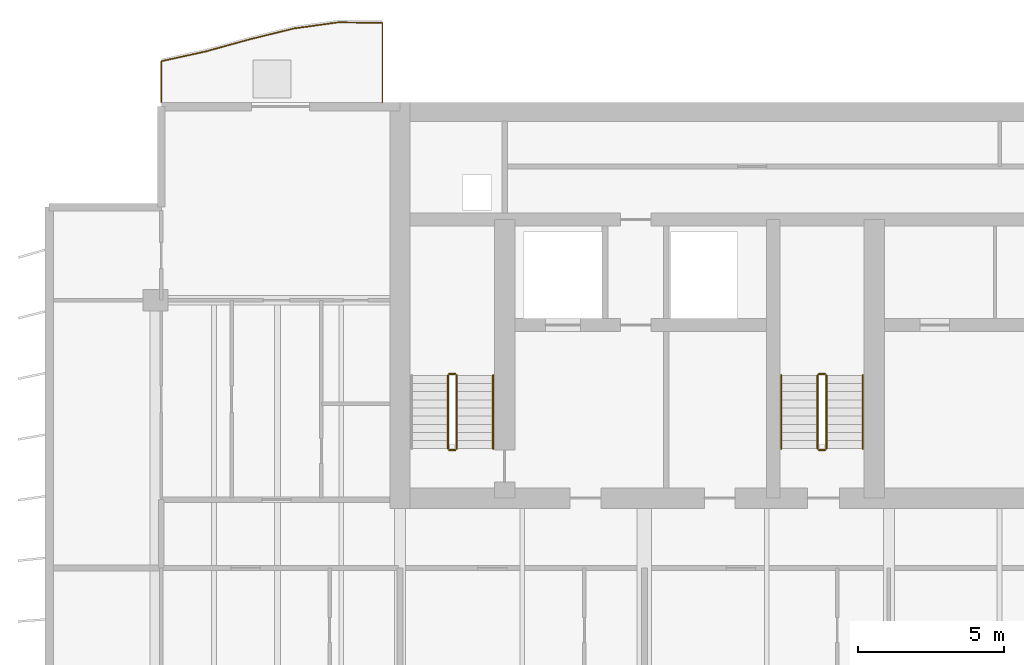
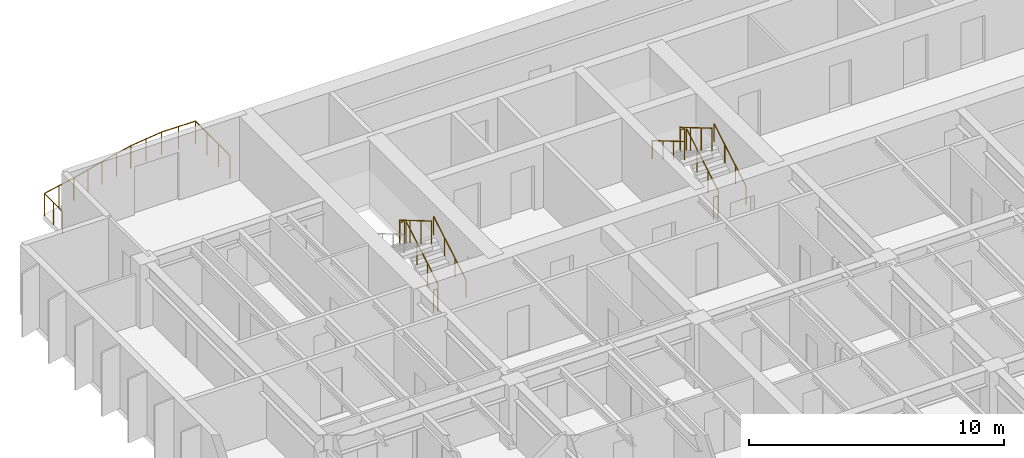
# One storey, part 16 of 18: 12 railings.
"""IFC4 building model written with IfcOpenShell, lengths in metres."""

from ifc_helpers import new_model, si_unit, direction, frame, origin, origin_2d, place, context, subcontext, project, spatial, circle, extrude, material, type_object, element, save


model = new_model("IFC4")

# Units and contexts
model_context = context("Model", 3, precision=1e-05, world=origin(), true_north=direction((0.0, 1.0)))
body_context = subcontext(model_context, "Body", "Model", "MODEL_VIEW")
ifc_project = project(units=[si_unit("LENGTHUNIT", "METRE"), si_unit("AREAUNIT", "SQUARE_METRE"), si_unit("VOLUMEUNIT", "CUBIC_METRE"), si_unit("PLANEANGLEUNIT", "RADIAN"), si_unit("MASSUNIT", "GRAM", prefix="KILO")], contexts=[model_context])

# Site, building, storey
site_placement = place(None, origin())
site = spatial("IfcSite", under=ifc_project, at=site_placement, CompositionType="ELEMENT")
building_placement = place(site_placement, origin())
building = spatial("IfcBuilding", under=site, at=building_placement, Name="Caelmar Bay Residences", CompositionType="ELEMENT")
storey_placement = place(building_placement, frame((0.0, 0.0, 177.0)))
storey = spatial("IfcBuildingStorey", under=building, at=storey_placement, Name="L49", CompositionType="ELEMENT", Elevation=177.0)

# Railings
ifc_material_1 = material(Name="Anodised bronze handrail with laminated hurricane glass infill", Category="glass")
railing_type_1 = type_object("IfcRailingType", Name="RL-BAL-1100", PredefinedType="BALUSTRADE", material=ifc_material_1)
railing_1_placement = place(storey_placement, frame((17.699951171875, 50.60009765625, 0.0)))
element("IfcRailing", 1, at=railing_1_placement, inside=storey, type_object=railing_type_1, Name="L49 north_west Balcony Balustrade", PredefinedType="BALUSTRADE", context=body_context, shape_type="SweptSolid", body=[
    extrude(circle(Radius=0.02392578125, at=origin_2d()), frame((0.0, 0.0, 1.076171875), z_axis=(0.0, 1.0, 0.0), x_axis=(-1.0, 0.0, 0.0)), (0.0, 0.0, 1.0), 2.7294921875),
    extrude(circle(Radius=0.02392578125, at=origin_2d()), frame((0.0, 2.7294921875, 1.076171875), z_axis=(-0.999921532492, 0.012527124885, 0.0), x_axis=(-0.012527124885, -0.999921532492, 0.0)), (0.0, 0.0, 1.0), 1.52001953125),
    extrude(circle(Radius=0.02392578125, at=origin_2d()), frame((-1.52001953125, 2.74853515625, 1.076171875), z_axis=(-0.990551196857, -0.137143451926, 0.0), x_axis=(0.137143451926, -0.990551196857, 0.0)), (0.0, 0.0, 1.0), 1.534423828125),
    extrude(circle(Radius=0.02392578125, at=origin_2d()), frame((-3.0400390625, 2.5380859375, 1.076171875), z_axis=(-0.971143394628, -0.238496346031, 0.0), x_axis=(0.238496346031, -0.971143394628, 0.0)), (0.0, 0.0, 1.0), 1.565185546875),
    extrude(circle(Radius=0.02392578125, at=origin_2d()), frame((-4.56005859375, 2.164794921875, 1.076171875), z_axis=(-0.964041885028, -0.265750341319, 0.0), x_axis=(0.265750341319, -0.964041885028, 0.0)), (0.0, 0.0, 1.0), 1.576416015625),
    extrude(circle(Radius=0.02392578125, at=origin_2d()), frame((-6.079833984375, 1.745849609375, 1.076171875), z_axis=(-0.976865202557, -0.2138559703, 0.0), x_axis=(0.2138559703, -0.976865202557, 0.0)), (0.0, 0.0, 1.0), 1.555908203125),
    extrude(circle(Radius=0.02392578125, at=origin_2d()), frame((-7.599853515625, 1.4130859375, 1.076171875), z_axis=(0.0, -1.0, 0.0), x_axis=(1.0, 0.0, 0.0)), (0.0, 0.0, 1.0), 1.4130859375),
    extrude(circle(Radius=0.02099609375, at=origin_2d()), origin(), (0.0, 0.0, 1.0), 1.052001953125),
    extrude(circle(Radius=0.02099609375, at=origin_2d()), frame((0.0, 0.909912109375, 0.0)), (0.0, 0.0, 1.0), 1.052001953125),
    extrude(circle(Radius=0.02099609375, at=origin_2d()), frame((0.0, 1.819580078125, 0.0)), (0.0, 0.0, 1.0), 1.052001953125),
    extrude(circle(Radius=0.02099609375, at=origin_2d()), frame((0.0, 2.7294921875, 0.0)), (0.0, 0.0, 1.0), 1.052001953125),
    extrude(circle(Radius=0.02099609375, at=origin_2d()), frame((-0.760009765625, 2.739013671875, 0.0)), (0.0, 0.0, 1.0), 1.052001953125),
    extrude(circle(Radius=0.02099609375, at=origin_2d()), frame((-1.52001953125, 2.74853515625, 0.0)), (0.0, 0.0, 1.0), 1.052001953125),
    extrude(circle(Radius=0.02099609375, at=origin_2d()), frame((-2.280029296875, 2.643310546875, 0.0)), (0.0, 0.0, 1.0), 1.052001953125),
    extrude(circle(Radius=0.02099609375, at=origin_2d()), frame((-3.0400390625, 2.5380859375, 0.0)), (0.0, 0.0, 1.0), 1.052001953125),
    extrude(circle(Radius=0.02099609375, at=origin_2d()), frame((-3.800048828125, 2.3515625, 0.0)), (0.0, 0.0, 1.0), 1.052001953125),
    extrude(circle(Radius=0.02099609375, at=origin_2d()), frame((-4.56005859375, 2.164794921875, 0.0)), (0.0, 0.0, 1.0), 1.052001953125),
    extrude(circle(Radius=0.02099609375, at=origin_2d()), frame((-5.31982421875, 1.955322265625, 0.0)), (0.0, 0.0, 1.0), 1.052001953125),
    extrude(circle(Radius=0.02099609375, at=origin_2d()), frame((-6.079833984375, 1.745849609375, 0.0)), (0.0, 0.0, 1.0), 1.052001953125),
    extrude(circle(Radius=0.02099609375, at=origin_2d()), frame((-6.83984375, 1.57958984375, 0.0)), (0.0, 0.0, 1.0), 1.052001953125),
    extrude(circle(Radius=0.02099609375, at=origin_2d()), frame((-7.599853515625, 1.4130859375, 0.0)), (0.0, 0.0, 1.0), 1.052001953125),
    extrude(circle(Radius=0.02099609375, at=origin_2d()), frame((-7.599853515625, 0.70654296875, 0.0)), (0.0, 0.0, 1.0), 1.052001953125),
    extrude(circle(Radius=0.02099609375, at=origin_2d()), frame((-7.599853515625, 0.0, 0.0)), (0.0, 0.0, 1.0), 1.052001953125),
])
ifc_material_2 = material(Name="Painted galvanized steel stair guard 1100 mm", Category="steel")
railing_type_2 = type_object("IfcRailingType", Name="RL-GRD-1100", PredefinedType="GUARDRAIL", material=ifc_material_2)
railing_2_placement = place(storey_placement, frame((20.25, 38.699951171875, 0.1650390625)))
element("IfcRailing", 2, at=railing_2_placement, inside=storey, type_object=railing_type_2, Name="L49 ST1 stair guard 1", PredefinedType="GUARDRAIL", context=body_context, shape_type="SweptSolid", body=[
    extrude(circle(Radius=0.02392578125, at=origin_2d()), frame((0.0, 0.0, 1.076171875), z_axis=(0.0, 0.861560626758, 0.507654692109), x_axis=(-1.0, 0.0, 0.0)), (0.0, 0.0, 1.0), 2.925048828125),
    extrude(circle(Radius=0.02099609375, at=origin_2d()), origin(), (0.0, 0.0, 1.0), 1.052001953125),
    extrude(circle(Radius=0.02099609375, at=origin_2d()), frame((0.0, 0.840087890625, 0.494873046875)), (0.0, 0.0, 1.0), 1.052001953125),
    extrude(circle(Radius=0.02099609375, at=origin_2d()), frame((0.0, 1.679931640625, 0.989990234375)), (0.0, 0.0, 1.0), 1.052001953125),
    extrude(circle(Radius=0.02099609375, at=origin_2d()), frame((0.0, 2.52001953125, 1.48486328125)), (0.0, 0.0, 1.0), 1.052001953125),
])
railing_3_placement = place(storey_placement, frame((20.199951171875, 41.27001953125, 1.64990234375)))
element("IfcRailing", 3, at=railing_3_placement, inside=storey, type_object=railing_type_2, Name="L49 ST1 stair guard 2", PredefinedType="GUARDRAIL", context=body_context, shape_type="SweptSolid", body=[
    extrude(circle(Radius=0.02392578125, at=origin_2d()), frame((0.0, 0.0, 1.076171875), z_axis=(-1.0, 0.0, 0.0), x_axis=(0.0, -1.0, 0.0)), (0.0, 0.0, 1.0), 0.199951171875),
    extrude(circle(Radius=0.02099609375, at=origin_2d()), origin(), (0.0, 0.0, 1.0), 1.052001953125),
    extrude(circle(Radius=0.02099609375, at=origin_2d()), frame((-0.199951171875, 0.0, 0.0)), (0.0, 0.0, 1.0), 1.052001953125),
])
railing_4_placement = place(storey_placement, frame((19.949951171875, 41.219970703125, 1.81494140625)))
element("IfcRailing", 4, at=railing_4_placement, inside=storey, type_object=railing_type_2, Name="L49 ST1 stair guard 3", PredefinedType="GUARDRAIL", context=body_context, shape_type="SweptSolid", body=[
    extrude(circle(Radius=0.02392578125, at=origin_2d()), frame((0.0, 0.0, 1.076171875), z_axis=(0.0, -0.86152411907, 0.507716645641), x_axis=(1.0, 0.0, 0.0)), (0.0, 0.0, 1.0), 2.925048828125),
    extrude(circle(Radius=0.02099609375, at=origin_2d()), origin(), (0.0, 0.0, 1.0), 1.052001953125),
    extrude(circle(Radius=0.02099609375, at=origin_2d()), frame((0.0, -0.840087890625, 0.4951171875)), (0.0, 0.0, 1.0), 1.052001953125),
    extrude(circle(Radius=0.02099609375, at=origin_2d()), frame((0.0, -1.679931640625, 0.989990234375)), (0.0, 0.0, 1.0), 1.052001953125),
    extrude(circle(Radius=0.02099609375, at=origin_2d()), frame((0.0, -2.52001953125, 1.485107421875)), (0.0, 0.0, 1.0), 1.052001953125),
])
railing_5_placement = place(storey_placement, frame((20.199951171875, 38.64990234375, 0.0)))
element("IfcRailing", 5, at=railing_5_placement, inside=storey, type_object=railing_type_2, Name="L49 ST1 stair guard 4", PredefinedType="GUARDRAIL", context=body_context, shape_type="SweptSolid", body=[
    extrude(circle(Radius=0.02392578125, at=origin_2d()), frame((0.0, 0.0, 1.076171875), z_axis=(-1.0, 0.0, 0.0), x_axis=(0.0, -1.0, 0.0)), (0.0, 0.0, 1.0), 0.199951171875),
    extrude(circle(Radius=0.02099609375, at=origin_2d()), origin(), (0.0, 0.0, 1.0), 1.052001953125),
    extrude(circle(Radius=0.02099609375, at=origin_2d()), frame((-0.199951171875, 0.0, 0.0)), (0.0, 0.0, 1.0), 1.052001953125),
])
railing_6_placement = place(storey_placement, frame((32.949951171875, 38.699951171875, 0.1650390625)))
element("IfcRailing", 6, at=railing_6_placement, inside=storey, type_object=railing_type_2, Name="L49 ST3 stair guard 1", PredefinedType="GUARDRAIL", context=body_context, shape_type="SweptSolid", body=[
    extrude(circle(Radius=0.02392578125, at=origin_2d()), frame((0.0, 0.0, 1.076171875), z_axis=(0.0, 0.861560626758, 0.507654692109), x_axis=(-1.0, 0.0, 0.0)), (0.0, 0.0, 1.0), 2.925048828125),
    extrude(circle(Radius=0.02099609375, at=origin_2d()), origin(), (0.0, 0.0, 1.0), 1.052001953125),
    extrude(circle(Radius=0.02099609375, at=origin_2d()), frame((0.0, 0.840087890625, 0.494873046875)), (0.0, 0.0, 1.0), 1.052001953125),
    extrude(circle(Radius=0.02099609375, at=origin_2d()), frame((0.0, 1.679931640625, 0.989990234375)), (0.0, 0.0, 1.0), 1.052001953125),
    extrude(circle(Radius=0.02099609375, at=origin_2d()), frame((0.0, 2.52001953125, 1.48486328125)), (0.0, 0.0, 1.0), 1.052001953125),
])
railing_7_placement = place(storey_placement, frame((32.89990234375, 41.27001953125, 1.64990234375)))
element("IfcRailing", 7, at=railing_7_placement, inside=storey, type_object=railing_type_2, Name="L49 ST3 stair guard 2", PredefinedType="GUARDRAIL", context=body_context, shape_type="SweptSolid", body=[
    extrude(circle(Radius=0.02392578125, at=origin_2d()), frame((0.0, 0.0, 1.076171875), z_axis=(-1.0, 0.0, 0.0), x_axis=(0.0, -1.0, 0.0)), (0.0, 0.0, 1.0), 0.199951171875),
    extrude(circle(Radius=0.02099609375, at=origin_2d()), origin(), (0.0, 0.0, 1.0), 1.052001953125),
    extrude(circle(Radius=0.02099609375, at=origin_2d()), frame((-0.199951171875, 0.0, 0.0)), (0.0, 0.0, 1.0), 1.052001953125),
])
railing_8_placement = place(storey_placement, frame((32.64990234375, 41.219970703125, 1.81494140625)))
element("IfcRailing", 8, at=railing_8_placement, inside=storey, type_object=railing_type_2, Name="L49 ST3 stair guard 3", PredefinedType="GUARDRAIL", context=body_context, shape_type="SweptSolid", body=[
    extrude(circle(Radius=0.02392578125, at=origin_2d()), frame((0.0, 0.0, 1.076171875), z_axis=(0.0, -0.86152411907, 0.507716645641), x_axis=(1.0, 0.0, 0.0)), (0.0, 0.0, 1.0), 2.925048828125),
    extrude(circle(Radius=0.02099609375, at=origin_2d()), origin(), (0.0, 0.0, 1.0), 1.052001953125),
    extrude(circle(Radius=0.02099609375, at=origin_2d()), frame((0.0, -0.840087890625, 0.4951171875)), (0.0, 0.0, 1.0), 1.052001953125),
    extrude(circle(Radius=0.02099609375, at=origin_2d()), frame((0.0, -1.679931640625, 0.989990234375)), (0.0, 0.0, 1.0), 1.052001953125),
    extrude(circle(Radius=0.02099609375, at=origin_2d()), frame((0.0, -2.52001953125, 1.485107421875)), (0.0, 0.0, 1.0), 1.052001953125),
])
railing_9_placement = place(storey_placement, frame((32.89990234375, 38.64990234375, 0.0)))
element("IfcRailing", 9, at=railing_9_placement, inside=storey, type_object=railing_type_2, Name="L49 ST3 stair guard 4", PredefinedType="GUARDRAIL", context=body_context, shape_type="SweptSolid", body=[
    extrude(circle(Radius=0.02392578125, at=origin_2d()), frame((0.0, 0.0, 1.076171875), z_axis=(-1.0, 0.0, 0.0), x_axis=(0.0, -1.0, 0.0)), (0.0, 0.0, 1.0), 0.199951171875),
    extrude(circle(Radius=0.02099609375, at=origin_2d()), origin(), (0.0, 0.0, 1.0), 1.052001953125),
    extrude(circle(Radius=0.02099609375, at=origin_2d()), frame((-0.199951171875, 0.0, 0.0)), (0.0, 0.0, 1.0), 1.052001953125),
])
ifc_material_3 = material(Name="Brushed bronze stainless-steel tubular handrail 900 mm", Category="steel")
railing_type_3 = type_object("IfcRailingType", Name="RL-HND-900", PredefinedType="HANDRAIL", material=ifc_material_3)
for number, where, name in (
    (10, (21.5, 38.699951171875, 0.1650390625), "L49 ST1 stair handrail 1"),
    (11, (34.199951171875, 38.699951171875, 0.1650390625), "L49 ST3 stair handrail 1"),
):
    element("IfcRailing", number, at=place(storey_placement, frame(where)), inside=storey, type_object=railing_type_3, Name=name, PredefinedType="HANDRAIL", context=body_context, shape_type="SweptSolid", body=[
        extrude(circle(Radius=0.02392578125, at=origin_2d()), frame((0.0, 0.0, 0.8759765625), z_axis=(0.0, 0.861560626758, 0.507654692109), x_axis=(-1.0, 0.0, 0.0)), (0.0, 0.0, 1.0), 2.925048828125),
        extrude(circle(Radius=0.02099609375, at=origin_2d()), origin(), (0.0, 0.0, 1.0), 0.851806640625),
        extrude(circle(Radius=0.02099609375, at=origin_2d()), frame((0.0, 0.840087890625, 0.494873046875)), (0.0, 0.0, 1.0), 0.851806640625),
        extrude(circle(Radius=0.02099609375, at=origin_2d()), frame((0.0, 1.679931640625, 0.989990234375)), (0.0, 0.0, 1.0), 0.851806640625),
        extrude(circle(Radius=0.02099609375, at=origin_2d()), frame((0.0, 2.52001953125, 1.48486328125)), (0.0, 0.0, 1.0), 0.851806640625),
    ])
railing_10_placement = place(storey_placement, frame((31.39990234375, 41.219970703125, 1.81494140625)))
element("IfcRailing", 12, at=railing_10_placement, inside=storey, type_object=railing_type_3, Name="L49 ST3 stair handrail 2", PredefinedType="HANDRAIL", context=body_context, shape_type="SweptSolid", body=[
    extrude(circle(Radius=0.02392578125, at=origin_2d()), frame((0.0, 0.0, 0.8759765625), z_axis=(0.0, -0.86152411907, 0.507716645641), x_axis=(1.0, 0.0, 0.0)), (0.0, 0.0, 1.0), 2.925048828125),
    extrude(circle(Radius=0.02099609375, at=origin_2d()), origin(), (0.0, 0.0, 1.0), 0.851806640625),
    extrude(circle(Radius=0.02099609375, at=origin_2d()), frame((0.0, -0.840087890625, 0.4951171875)), (0.0, 0.0, 1.0), 0.851806640625),
    extrude(circle(Radius=0.02099609375, at=origin_2d()), frame((0.0, -1.679931640625, 0.989990234375)), (0.0, 0.0, 1.0), 0.851806640625),
    extrude(circle(Radius=0.02099609375, at=origin_2d()), frame((0.0, -2.52001953125, 1.485107421875)), (0.0, 0.0, 1.0), 0.851806640625),
])

save(model, "model.ifc")
